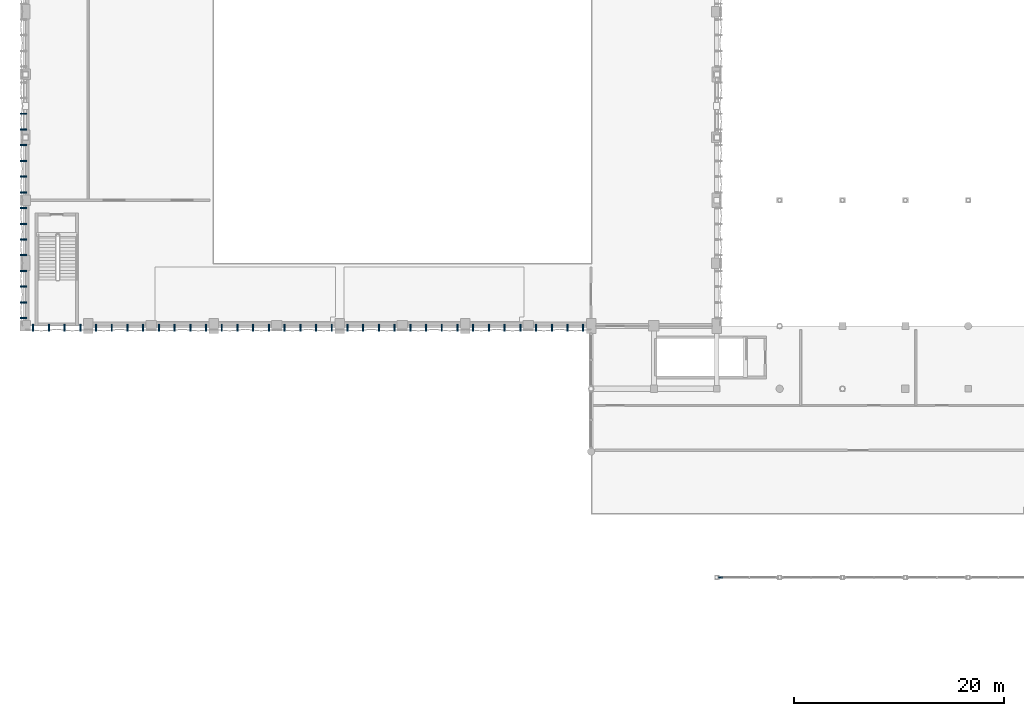
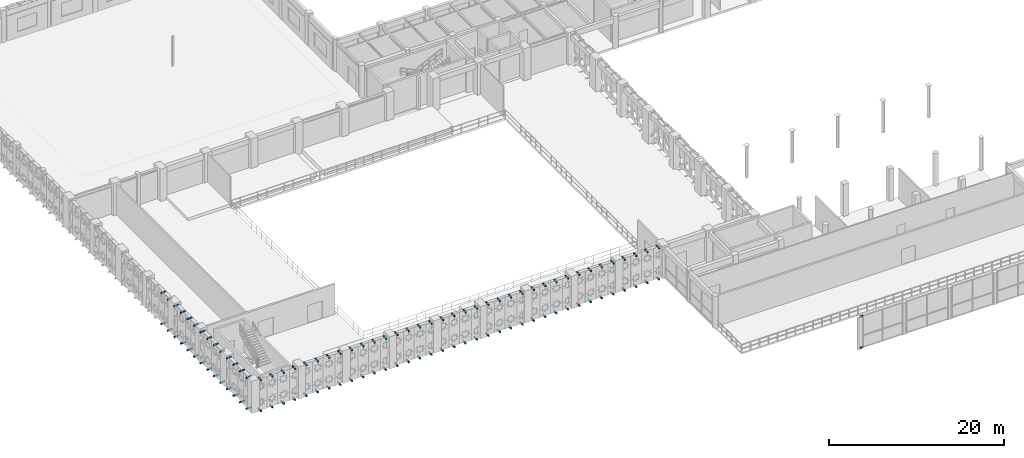
# One storey, part 100 of 116: 102 discrete accessories.
"""IFC4 building model written with IfcOpenShell, lengths in metres."""

from ifc_helpers import new_model, si_unit, direction, frame, origin, origin_2d, place, context, subcontext, project, spatial, rectangle, extrude, material, type_object, element, save


model = new_model("IFC4")

# Units and contexts
model_context = context("Model", 3, precision=1e-05, world=origin(), true_north=direction((0.0, 1.0)))
body_context = subcontext(model_context, "Body", "Model", "MODEL_VIEW")
ifc_project = project(units=[si_unit("LENGTHUNIT", "METRE"), si_unit("AREAUNIT", "SQUARE_METRE"), si_unit("VOLUMEUNIT", "CUBIC_METRE"), si_unit("PLANEANGLEUNIT", "RADIAN"), si_unit("MASSUNIT", "GRAM", prefix="KILO"), si_unit("THERMODYNAMICTEMPERATUREUNIT", "KELVIN"), si_unit("POWERUNIT", "WATT")], contexts=[model_context])

# Site, building, storey
site_placement = place(None, origin())
site = spatial("IfcSite", under=ifc_project, at=site_placement, CompositionType="ELEMENT")
building_placement = place(site_placement, origin())
building = spatial("IfcBuilding", under=site, at=building_placement, Name="Phaisarnlok Congress Hotel", CompositionType="ELEMENT")
storey_placement = place(building_placement, frame((0.0, 0.0, 10.5)))
storey = spatial("IfcBuildingStorey", under=building, at=storey_placement, Name="L02", CompositionType="ELEMENT", Elevation=10.5)

# Discrete accessories
ifc_material = material(Name="Steel S355", Category="steel")
discrete_accessory_type = type_object("IfcDiscreteAccessoryType", Name="ACC-BRK-STL", PredefinedType="BRACKET", material=ifc_material)
for number, where, z_axis, x_axis, name in (
    (1, (66.360107421875, 18.0, 0.0), (0.0, 0.0, 1.0), (1.0, 0.0, 0.0), "Curtain wall steel jamb spider bracket BK-01"),
    (2, (66.360107421875, 18.0, 4.35986328125), (0.0, 0.0, 1.0), (1.0, 0.0, 0.0), "Curtain wall steel jamb spider bracket BK-01"),
):
    element("IfcDiscreteAccessory", number, at=place(storey_placement, frame(where, z_axis=z_axis, x_axis=x_axis)), inside=storey, type_object=discrete_accessory_type, Name=name, PredefinedType="BRACKET", context=body_context, shape_type="SweptSolid", body=[
        extrude(rectangle(XDim=0.43994140625, YDim=0.159912109375, at=origin_2d()), origin(), (0.0, 0.0, 1.0), 0.139892578125),
    ])
for number, where, z_axis, x_axis, name in (
    (3, (-0.183837890625, 42.75, -0.18017578125), (0.0, 0.0, 1.0), (1.0, 0.0, 0.0), "Solar screen steel outrigger bracket BK-01"),
    (4, (-0.183837890625, 42.75, 4.1201171875), (0.0, 0.0, 1.0), (1.0, 0.0, 0.0), "Solar screen steel outrigger bracket BK-01"),
    (5, (-0.183837890625, 44.25, -0.18017578125), (0.0, 0.0, 1.0), (1.0, 0.0, 0.0), "Solar screen steel outrigger bracket BK-01"),
    (6, (-0.183837890625, 44.25, 4.1201171875), (0.0, 0.0, 1.0), (1.0, 0.0, 0.0), "Solar screen steel outrigger bracket BK-01"),
    (7, (-0.183837890625, 45.75, -0.18017578125), (0.0, 0.0, 1.0), (1.0, 0.0, 0.0), "Solar screen steel outrigger bracket BK-01"),
    (8, (-0.183837890625, 45.75, 4.1201171875), (0.0, 0.0, 1.0), (1.0, 0.0, 0.0), "Solar screen steel outrigger bracket BK-01"),
    (9, (-0.183837890625, 47.25, -0.18017578125), (0.0, 0.0, 1.0), (1.0, 0.0, 0.0), "Solar screen steel outrigger bracket BK-01"),
    (10, (-0.183837890625, 47.25, 4.1201171875), (0.0, 0.0, 1.0), (1.0, 0.0, 0.0), "Solar screen steel outrigger bracket BK-01"),
    (11, (-0.183837890625, 48.75, -0.18017578125), (0.0, 0.0, 1.0), (1.0, 0.0, 0.0), "Solar screen steel outrigger bracket BK-01"),
    (12, (-0.183837890625, 48.75, 4.1201171875), (0.0, 0.0, 1.0), (1.0, 0.0, 0.0), "Solar screen steel outrigger bracket BK-01"),
    (13, (-0.183837890625, 50.25, -0.18017578125), (0.0, 0.0, 1.0), (1.0, 0.0, 0.0), "Solar screen steel outrigger bracket BK-01"),
    (14, (-0.183837890625, 50.25, 4.1201171875), (0.0, 0.0, 1.0), (1.0, 0.0, 0.0), "Solar screen steel outrigger bracket BK-01"),
    (15, (-0.183837890625, 51.75, -0.18017578125), (0.0, 0.0, 1.0), (1.0, 0.0, 0.0), "Solar screen steel outrigger bracket BK-01"),
    (16, (-0.183837890625, 51.75, 4.1201171875), (0.0, 0.0, 1.0), (1.0, 0.0, 0.0), "Solar screen steel outrigger bracket BK-01"),
    (17, (-0.183837890625, 53.25, -0.18017578125), (0.0, 0.0, 1.0), (1.0, 0.0, 0.0), "Solar screen steel outrigger bracket BK-01"),
    (18, (-0.183837890625, 53.25, 4.1201171875), (0.0, 0.0, 1.0), (1.0, 0.0, 0.0), "Solar screen steel outrigger bracket BK-01"),
    (19, (-0.183837890625, 54.75, -0.18017578125), (0.0, 0.0, 1.0), (1.0, 0.0, 0.0), "Solar screen steel outrigger bracket BK-01"),
    (20, (-0.183837890625, 54.75, 4.1201171875), (0.0, 0.0, 1.0), (1.0, 0.0, 0.0), "Solar screen steel outrigger bracket BK-01"),
    (21, (-0.183837890625, 56.25, -0.18017578125), (0.0, 0.0, 1.0), (1.0, 0.0, 0.0), "Solar screen steel outrigger bracket BK-01"),
    (22, (-0.183837890625, 56.25, 4.1201171875), (0.0, 0.0, 1.0), (1.0, 0.0, 0.0), "Solar screen steel outrigger bracket BK-01"),
    (23, (-0.183837890625, 57.75, -0.18017578125), (0.0, 0.0, 1.0), (1.0, 0.0, 0.0), "Solar screen steel outrigger bracket BK-01"),
    (24, (-0.183837890625, 57.75, 4.1201171875), (0.0, 0.0, 1.0), (1.0, 0.0, 0.0), "Solar screen steel outrigger bracket BK-01"),
    (25, (-0.183837890625, 59.25, -0.18017578125), (0.0, 0.0, 1.0), (1.0, 0.0, 0.0), "Solar screen steel outrigger bracket BK-01"),
    (26, (-0.183837890625, 59.25, 4.1201171875), (0.0, 0.0, 1.0), (1.0, 0.0, 0.0), "Solar screen steel outrigger bracket BK-01"),
    (27, (-0.183837890625, 60.75, -0.18017578125), (0.0, 0.0, 1.0), (1.0, 0.0, 0.0), "Solar screen steel outrigger bracket BK-01"),
    (28, (-0.183837890625, 60.75, 4.1201171875), (0.0, 0.0, 1.0), (1.0, 0.0, 0.0), "Solar screen steel outrigger bracket BK-01"),
    (29, (-0.183837890625, 62.25, -0.18017578125), (0.0, 0.0, 1.0), (1.0, 0.0, 0.0), "Solar screen steel outrigger bracket BK-01"),
    (30, (-0.183837890625, 62.25, 4.1201171875), (0.0, 0.0, 1.0), (1.0, 0.0, 0.0), "Solar screen steel outrigger bracket BK-01"),
):
    element("IfcDiscreteAccessory", number, at=place(storey_placement, frame(where, z_axis=z_axis, x_axis=x_axis)), inside=storey, type_object=discrete_accessory_type, Name=name, PredefinedType="BRACKET", context=body_context, shape_type="SweptSolid", body=[
        extrude(rectangle(XDim=0.647705078125, YDim=0.139892578125, at=origin_2d()), origin(), (0.0, 0.0, 1.0), 0.159912109375),
    ])
for number, where, z_axis, x_axis, name in (
    (31, (0.75, 41.816162109375, -0.18017578125), (0.0, 0.0, 1.0), (1.0, 0.0, 0.0), "Solar screen steel outrigger bracket BK-01"),
    (32, (0.75, 41.816162109375, 4.1201171875), (0.0, 0.0, 1.0), (1.0, 0.0, 0.0), "Solar screen steel outrigger bracket BK-01"),
    (33, (2.25, 41.816162109375, -0.18017578125), (0.0, 0.0, 1.0), (1.0, 0.0, 0.0), "Solar screen steel outrigger bracket BK-01"),
    (34, (2.25, 41.816162109375, 4.1201171875), (0.0, 0.0, 1.0), (1.0, 0.0, 0.0), "Solar screen steel outrigger bracket BK-01"),
    (35, (3.75, 41.816162109375, -0.18017578125), (0.0, 0.0, 1.0), (1.0, 0.0, 0.0), "Solar screen steel outrigger bracket BK-01"),
    (36, (3.75, 41.816162109375, 4.1201171875), (0.0, 0.0, 1.0), (1.0, 0.0, 0.0), "Solar screen steel outrigger bracket BK-01"),
    (37, (5.25, 41.816162109375, -0.18017578125), (0.0, 0.0, 1.0), (1.0, 0.0, 0.0), "Solar screen steel outrigger bracket BK-01"),
    (38, (5.25, 41.816162109375, 4.1201171875), (0.0, 0.0, 1.0), (1.0, 0.0, 0.0), "Solar screen steel outrigger bracket BK-01"),
    (39, (6.75, 41.816162109375, -0.18017578125), (0.0, 0.0, 1.0), (1.0, 0.0, 0.0), "Solar screen steel outrigger bracket BK-01"),
    (40, (6.75, 41.816162109375, 4.1201171875), (0.0, 0.0, 1.0), (1.0, 0.0, 0.0), "Solar screen steel outrigger bracket BK-01"),
    (41, (8.25, 41.816162109375, -0.18017578125), (0.0, 0.0, 1.0), (1.0, 0.0, 0.0), "Solar screen steel outrigger bracket BK-01"),
    (42, (8.25, 41.816162109375, 4.1201171875), (0.0, 0.0, 1.0), (1.0, 0.0, 0.0), "Solar screen steel outrigger bracket BK-01"),
    (43, (9.75, 41.816162109375, -0.18017578125), (0.0, 0.0, 1.0), (1.0, 0.0, 0.0), "Solar screen steel outrigger bracket BK-01"),
    (44, (9.75, 41.816162109375, 4.1201171875), (0.0, 0.0, 1.0), (1.0, 0.0, 0.0), "Solar screen steel outrigger bracket BK-01"),
    (45, (11.25, 41.816162109375, -0.18017578125), (0.0, 0.0, 1.0), (1.0, 0.0, 0.0), "Solar screen steel outrigger bracket BK-01"),
    (46, (11.25, 41.816162109375, 4.1201171875), (0.0, 0.0, 1.0), (1.0, 0.0, 0.0), "Solar screen steel outrigger bracket BK-01"),
    (47, (12.75, 41.816162109375, -0.18017578125), (0.0, 0.0, 1.0), (1.0, 0.0, 0.0), "Solar screen steel outrigger bracket BK-01"),
    (48, (12.75, 41.816162109375, 4.1201171875), (0.0, 0.0, 1.0), (1.0, 0.0, 0.0), "Solar screen steel outrigger bracket BK-01"),
    (49, (14.25, 41.816162109375, -0.18017578125), (0.0, 0.0, 1.0), (1.0, 0.0, 0.0), "Solar screen steel outrigger bracket BK-01"),
    (50, (14.25, 41.816162109375, 4.1201171875), (0.0, 0.0, 1.0), (1.0, 0.0, 0.0), "Solar screen steel outrigger bracket BK-01"),
    (51, (15.75, 41.816162109375, -0.18017578125), (0.0, 0.0, 1.0), (1.0, 0.0, 0.0), "Solar screen steel outrigger bracket BK-01"),
    (52, (15.75, 41.816162109375, 4.1201171875), (0.0, 0.0, 1.0), (1.0, 0.0, 0.0), "Solar screen steel outrigger bracket BK-01"),
    (53, (17.25, 41.816162109375, -0.18017578125), (0.0, 0.0, 1.0), (1.0, 0.0, 0.0), "Solar screen steel outrigger bracket BK-01"),
    (54, (17.25, 41.816162109375, 4.1201171875), (0.0, 0.0, 1.0), (1.0, 0.0, 0.0), "Solar screen steel outrigger bracket BK-01"),
    (55, (18.75, 41.816162109375, -0.18017578125), (0.0, 0.0, 1.0), (1.0, 0.0, 0.0), "Solar screen steel outrigger bracket BK-01"),
    (56, (18.75, 41.816162109375, 4.1201171875), (0.0, 0.0, 1.0), (1.0, 0.0, 0.0), "Solar screen steel outrigger bracket BK-01"),
    (57, (20.25, 41.816162109375, -0.18017578125), (0.0, 0.0, 1.0), (1.0, 0.0, 0.0), "Solar screen steel outrigger bracket BK-01"),
    (58, (20.25, 41.816162109375, 4.1201171875), (0.0, 0.0, 1.0), (1.0, 0.0, 0.0), "Solar screen steel outrigger bracket BK-01"),
    (59, (21.75, 41.816162109375, -0.18017578125), (0.0, 0.0, 1.0), (1.0, 0.0, 0.0), "Solar screen steel outrigger bracket BK-01"),
    (60, (21.75, 41.816162109375, 4.1201171875), (0.0, 0.0, 1.0), (1.0, 0.0, 0.0), "Solar screen steel outrigger bracket BK-01"),
    (61, (23.25, 41.816162109375, -0.18017578125), (0.0, 0.0, 1.0), (1.0, 0.0, 0.0), "Solar screen steel outrigger bracket BK-01"),
    (62, (23.25, 41.816162109375, 4.1201171875), (0.0, 0.0, 1.0), (1.0, 0.0, 0.0), "Solar screen steel outrigger bracket BK-01"),
    (63, (24.75, 41.816162109375, -0.18017578125), (0.0, 0.0, 1.0), (1.0, 0.0, 0.0), "Solar screen steel outrigger bracket BK-01"),
    (64, (24.75, 41.816162109375, 4.1201171875), (0.0, 0.0, 1.0), (1.0, 0.0, 0.0), "Solar screen steel outrigger bracket BK-01"),
    (65, (26.25, 41.816162109375, -0.18017578125), (0.0, 0.0, 1.0), (1.0, 0.0, 0.0), "Solar screen steel outrigger bracket BK-01"),
    (66, (26.25, 41.816162109375, 4.1201171875), (0.0, 0.0, 1.0), (1.0, 0.0, 0.0), "Solar screen steel outrigger bracket BK-01"),
    (67, (27.75, 41.816162109375, -0.18017578125), (0.0, 0.0, 1.0), (1.0, 0.0, 0.0), "Solar screen steel outrigger bracket BK-01"),
    (68, (27.75, 41.816162109375, 4.1201171875), (0.0, 0.0, 1.0), (1.0, 0.0, 0.0), "Solar screen steel outrigger bracket BK-01"),
    (69, (29.25, 41.816162109375, -0.18017578125), (0.0, 0.0, 1.0), (1.0, 0.0, 0.0), "Solar screen steel outrigger bracket BK-01"),
    (70, (29.25, 41.816162109375, 4.1201171875), (0.0, 0.0, 1.0), (1.0, 0.0, 0.0), "Solar screen steel outrigger bracket BK-01"),
    (71, (30.75, 41.816162109375, -0.18017578125), (0.0, 0.0, 1.0), (1.0, 0.0, 0.0), "Solar screen steel outrigger bracket BK-01"),
    (72, (30.75, 41.816162109375, 4.1201171875), (0.0, 0.0, 1.0), (1.0, 0.0, 0.0), "Solar screen steel outrigger bracket BK-01"),
    (73, (32.25, 41.816162109375, -0.18017578125), (0.0, 0.0, 1.0), (1.0, 0.0, 0.0), "Solar screen steel outrigger bracket BK-01"),
    (74, (32.25, 41.816162109375, 4.1201171875), (0.0, 0.0, 1.0), (1.0, 0.0, 0.0), "Solar screen steel outrigger bracket BK-01"),
    (75, (33.75, 41.816162109375, -0.18017578125), (0.0, 0.0, 1.0), (1.0, 0.0, 0.0), "Solar screen steel outrigger bracket BK-01"),
    (76, (33.75, 41.816162109375, 4.1201171875), (0.0, 0.0, 1.0), (1.0, 0.0, 0.0), "Solar screen steel outrigger bracket BK-01"),
    (77, (35.25, 41.816162109375, -0.18017578125), (0.0, 0.0, 1.0), (1.0, 0.0, 0.0), "Solar screen steel outrigger bracket BK-01"),
    (78, (35.25, 41.816162109375, 4.1201171875), (0.0, 0.0, 1.0), (1.0, 0.0, 0.0), "Solar screen steel outrigger bracket BK-01"),
    (79, (36.75, 41.816162109375, -0.18017578125), (0.0, 0.0, 1.0), (1.0, 0.0, 0.0), "Solar screen steel outrigger bracket BK-01"),
    (80, (36.75, 41.816162109375, 4.1201171875), (0.0, 0.0, 1.0), (1.0, 0.0, 0.0), "Solar screen steel outrigger bracket BK-01"),
    (81, (38.25, 41.816162109375, -0.18017578125), (0.0, 0.0, 1.0), (1.0, 0.0, 0.0), "Solar screen steel outrigger bracket BK-01"),
    (82, (38.25, 41.816162109375, 4.1201171875), (0.0, 0.0, 1.0), (1.0, 0.0, 0.0), "Solar screen steel outrigger bracket BK-01"),
    (83, (39.75, 41.816162109375, -0.18017578125), (0.0, 0.0, 1.0), (1.0, 0.0, 0.0), "Solar screen steel outrigger bracket BK-01"),
    (84, (39.75, 41.816162109375, 4.1201171875), (0.0, 0.0, 1.0), (1.0, 0.0, 0.0), "Solar screen steel outrigger bracket BK-01"),
    (85, (41.25, 41.816162109375, -0.18017578125), (0.0, 0.0, 1.0), (1.0, 0.0, 0.0), "Solar screen steel outrigger bracket BK-01"),
    (86, (41.25, 41.816162109375, 4.1201171875), (0.0, 0.0, 1.0), (1.0, 0.0, 0.0), "Solar screen steel outrigger bracket BK-01"),
    (87, (42.75, 41.816162109375, -0.18017578125), (0.0, 0.0, 1.0), (1.0, 0.0, 0.0), "Solar screen steel outrigger bracket BK-01"),
    (88, (42.75, 41.816162109375, 4.1201171875), (0.0, 0.0, 1.0), (1.0, 0.0, 0.0), "Solar screen steel outrigger bracket BK-01"),
    (89, (44.25, 41.816162109375, -0.18017578125), (0.0, 0.0, 1.0), (1.0, 0.0, 0.0), "Solar screen steel outrigger bracket BK-01"),
    (90, (44.25, 41.816162109375, 4.1201171875), (0.0, 0.0, 1.0), (1.0, 0.0, 0.0), "Solar screen steel outrigger bracket BK-01"),
    (91, (45.75, 41.816162109375, -0.18017578125), (0.0, 0.0, 1.0), (1.0, 0.0, 0.0), "Solar screen steel outrigger bracket BK-01"),
    (92, (45.75, 41.816162109375, 4.1201171875), (0.0, 0.0, 1.0), (1.0, 0.0, 0.0), "Solar screen steel outrigger bracket BK-01"),
    (93, (47.25, 41.816162109375, -0.18017578125), (0.0, 0.0, 1.0), (1.0, 0.0, 0.0), "Solar screen steel outrigger bracket BK-01"),
    (94, (47.25, 41.816162109375, 4.1201171875), (0.0, 0.0, 1.0), (1.0, 0.0, 0.0), "Solar screen steel outrigger bracket BK-01"),
    (95, (48.75, 41.816162109375, -0.18017578125), (0.0, 0.0, 1.0), (1.0, 0.0, 0.0), "Solar screen steel outrigger bracket BK-01"),
    (96, (48.75, 41.816162109375, 4.1201171875), (0.0, 0.0, 1.0), (1.0, 0.0, 0.0), "Solar screen steel outrigger bracket BK-01"),
    (97, (50.25, 41.816162109375, -0.18017578125), (0.0, 0.0, 1.0), (1.0, 0.0, 0.0), "Solar screen steel outrigger bracket BK-01"),
    (98, (50.25, 41.816162109375, 4.1201171875), (0.0, 0.0, 1.0), (1.0, 0.0, 0.0), "Solar screen steel outrigger bracket BK-01"),
    (99, (51.75, 41.816162109375, -0.18017578125), (0.0, 0.0, 1.0), (1.0, 0.0, 0.0), "Solar screen steel outrigger bracket BK-01"),
    (100, (51.75, 41.816162109375, 4.1201171875), (0.0, 0.0, 1.0), (1.0, 0.0, 0.0), "Solar screen steel outrigger bracket BK-01"),
    (101, (53.25, 41.816162109375, -0.18017578125), (0.0, 0.0, 1.0), (1.0, 0.0, 0.0), "Solar screen steel outrigger bracket BK-01"),
    (102, (53.25, 41.816162109375, 4.1201171875), (0.0, 0.0, 1.0), (1.0, 0.0, 0.0), "Solar screen steel outrigger bracket BK-01"),
):
    element("IfcDiscreteAccessory", number, at=place(storey_placement, frame(where, z_axis=z_axis, x_axis=x_axis)), inside=storey, type_object=discrete_accessory_type, Name=name, PredefinedType="BRACKET", context=body_context, shape_type="SweptSolid", body=[
        extrude(rectangle(XDim=0.139892578125, YDim=0.647705078125, at=origin_2d()), origin(), (0.0, 0.0, 1.0), 0.159912109375),
    ])

save(model, "model.ifc")
